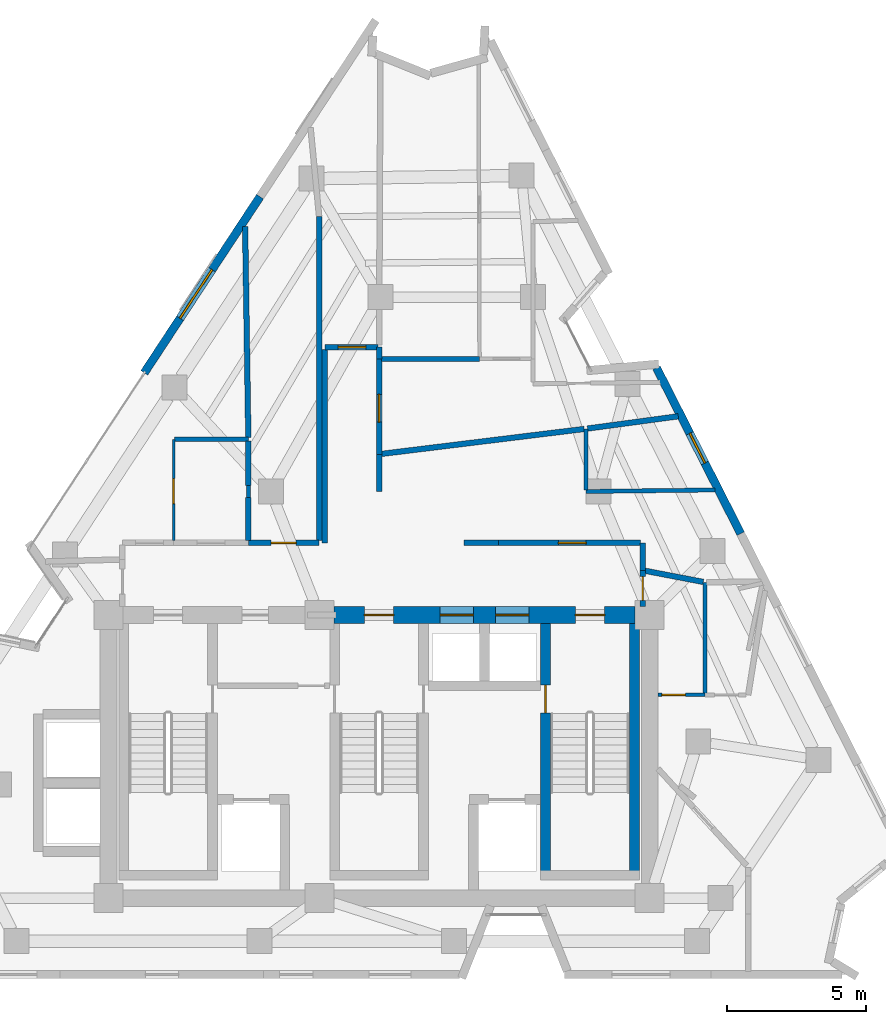
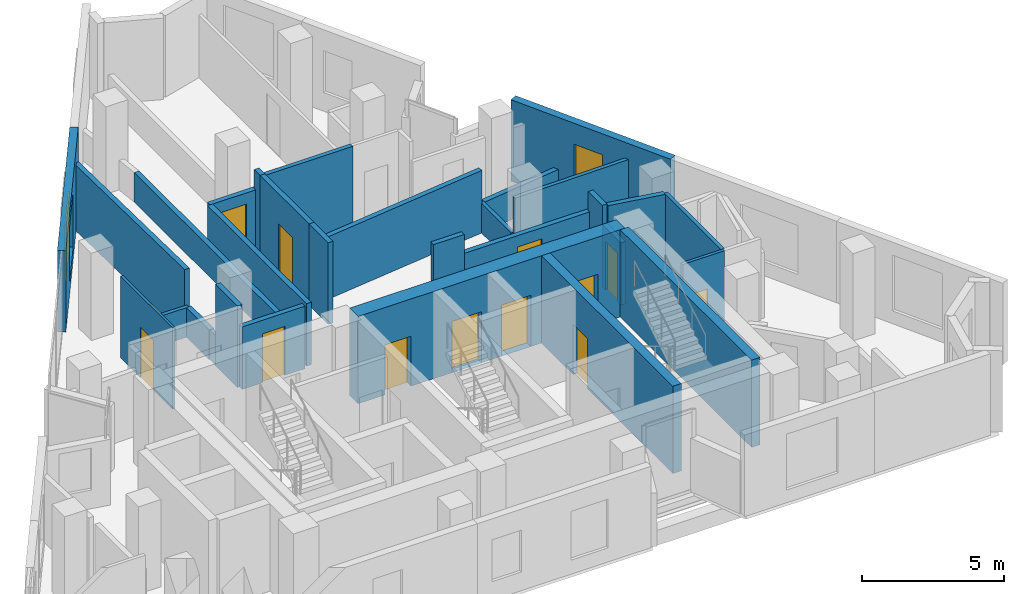
# One storey, part 6 of 9: 30 walls, 12 doors, 2 windows, 14 openings.
"""IFC4 building model written with IfcOpenShell, lengths in metres."""

from ifc_helpers import new_model, si_unit, direction, frame, frame_2d, origin, place, context, subcontext, project, spatial, rectangle, extrude, material, layer, layer_set, type_object, element, fill, save


model = new_model("IFC4")

# Units and contexts
model_context = context("Model", 3, precision=1e-05, world=origin(), true_north=direction((0.0, 1.0)))
body_context = subcontext(model_context, "Body", "Model", "MODEL_VIEW")
ifc_project = project(units=[si_unit("LENGTHUNIT", "METRE"), si_unit("AREAUNIT", "SQUARE_METRE"), si_unit("VOLUMEUNIT", "CUBIC_METRE"), si_unit("PLANEANGLEUNIT", "RADIAN"), si_unit("MASSUNIT", "GRAM", prefix="KILO")], contexts=[model_context])

# Site, building, storey
site_placement = place(None, origin())
site = spatial("IfcSite", under=ifc_project, at=site_placement, CompositionType="ELEMENT")
building_placement = place(site_placement, origin())
building = spatial("IfcBuilding", under=site, at=building_placement, Name="Almagre Mirador Tower", CompositionType="ELEMENT")
storey_placement = place(building_placement, frame((0.0, 0.0, 248.25)))
storey = spatial("IfcBuildingStorey", under=building, at=storey_placement, Name="L64", CompositionType="ELEMENT", Elevation=248.25)

# Wall, opening, window
ifc_material_1 = material(Name="Precast concrete C50/60", Category="concrete")
ifc_layer_1 = layer(ifc_material_1, 0.300048828125)
ifc_layer_set_1 = layer_set([ifc_layer_1], Name="Precast concrete C50/60")
wall_type_1 = type_object("IfcWallType", Name="WAL-EXT-300", PredefinedType="SOLIDWALL", material=ifc_layer_set_1)
wall_1_placement = place(storey_placement, frame((28.83837890625, 23.474609375, 0.0), z_axis=(0.0, 0.0, 1.0), x_axis=(0.549043857383, 0.835793540697, 0.0)))
wall_1 = element("IfcWall", 1, at=wall_1_placement, inside=storey, type_object=wall_type_1, Name="L64 expressed almagre precast frame wall 03", PredefinedType="SOLIDWALL", context=body_context, shape_type="SweptSolid", body=[
    extrude(rectangle(XDim=7.59716796875, YDim=0.300048828125, at=frame_2d((3.798583984375, 0.0))), origin(), (0.0, 0.0, 1.0), 3.5),
])
opening_1_placement = place(wall_1_placement, frame((2.35009765625, 0.0, 0.550048828125)))
opening_1 = element("IfcOpeningElement", 2, at=opening_1_placement, cuts=wall_1, Name="Opening WN-05", PredefinedType="OPENING", context=body_context, shape_type="SweptSolid", body=[
    extrude(rectangle(XDim=2.10009765625, YDim=2.39990234375, at=frame_2d((1.050048828125, 1.199951171875))), frame((0.0, 0.159902, 0.0), z_axis=(0.0, -1.0, 0.0), x_axis=(1.0, 0.0, 0.0)), (0.0, 0.0, 1.0), 0.320049),
])
ifc_material_2 = material(Name="Dark solar-control laminated hurricane glass", Category="glass")
window_type_1 = type_object("IfcWindowType", Name="WIN-2100X2400", PartitioningType="DOUBLE_PANEL_VERTICAL", PredefinedType="WINDOW", material=ifc_material_2)
window_1_placement = place(opening_1_placement, origin())
window_1 = element("IfcWindow", 3, at=window_1_placement, inside=storey, type_object=window_type_1, Name="L64 recessed hurricane window L64-UG-BT", OverallHeight=2.39990234375, OverallWidth=2.10009765625, PartitioningType="SINGLE_PANEL", PredefinedType="WINDOW", context=body_context, shape_type="SweptSolid", body=[
    extrude(rectangle(XDim=2.10009765625, YDim=2.39990234375, at=frame_2d((1.050048828125, 1.199951171875))), frame((0.0, 0.030029296875, 0.0), z_axis=(0.0, -1.0, 0.0), x_axis=(1.0, 0.0, 0.0)), (0.0, 0.0, 1.0), 0.06005859375),
])
fill(opening_1, window_1)

wall_2_placement = place(storey_placement, frame((47.29736328125, 23.65625, 0.0), z_axis=(0.0, 0.0, 1.0), x_axis=(0.452876034441, -0.891573495248, 0.0)))
wall_2 = element("IfcWall", 4, at=wall_2_placement, inside=storey, type_object=wall_type_1, Name="L64 expressed almagre precast frame wall 13", PredefinedType="SOLIDWALL", context=body_context, shape_type="SweptSolid", body=[
    extrude(rectangle(XDim=6.6982421875, YDim=0.300048828125, at=frame_2d((3.34912109375, 0.0))), origin(), (0.0, 0.0, 1.0), 3.5),
])
opening_2_placement = place(wall_2_placement, frame((2.64501953125, 0.0, 0.800048828125)))
opening_2 = element("IfcOpeningElement", 5, at=opening_2_placement, cuts=wall_2, Name="Opening WN-04", PredefinedType="OPENING", context=body_context, shape_type="SweptSolid", body=[
    extrude(rectangle(XDim=1.199951171875, YDim=1.800048828125, at=frame_2d((0.60009765625, 0.89990234375))), frame((0.0, 0.159902, 0.0), z_axis=(0.0, -1.0, 0.0), x_axis=(1.0, 0.0, 0.0)), (0.0, 0.0, 1.0), 0.320049),
])
ifc_material_3 = material(Name="Dark solar-control laminated hurricane glass", Category="glass")
window_type_2 = type_object("IfcWindowType", Name="WIN-1200X1800", PartitioningType="SINGLE_PANEL", PredefinedType="WINDOW", material=ifc_material_3)
window_2_placement = place(opening_2_placement, origin())
window_2 = element("IfcWindow", 6, at=window_2_placement, inside=storey, type_object=window_type_2, Name="L64 recessed hurricane window L64-UF-BT", OverallHeight=1.800048828125, OverallWidth=1.199951171875, PartitioningType="SINGLE_PANEL", PredefinedType="WINDOW", context=body_context, shape_type="SweptSolid", body=[
    extrude(rectangle(XDim=1.199951171875, YDim=1.800048828125, at=frame_2d((0.60009765625, 0.89990234375))), frame((0.0, 0.030029296875, 0.0), z_axis=(0.0, -1.0, 0.0), x_axis=(1.0, 0.0, 0.0)), (0.0, 0.0, 1.0), 0.06005859375),
])
fill(opening_2, window_2)

# Wall, opening, door
ifc_material_4 = material(Name="Gypsum acoustic stud partition", Category="other")
ifc_layer_2 = layer(ifc_material_4, 0.10009765625)
ifc_layer_set_2 = layer_set([ifc_layer_2], Name="Gypsum acoustic stud partition")
wall_type_2 = type_object("IfcWallType", Name="WAL-PRT-100-CLS", PredefinedType="PARTITIONING", material=ifc_layer_set_2)
wall_3_placement = place(storey_placement, frame((29.89990234375, 17.43505859375, 0.0), z_axis=(0.0, 0.0, 1.0), x_axis=(0.0, 1.0, 0.0)))
wall_3 = element("IfcWall", 7, at=wall_3_placement, inside=storey, type_object=wall_type_2, Name="L64 interior partition 044", PredefinedType="PARTITIONING", context=body_context, shape_type="SweptSolid", body=[
    extrude(rectangle(XDim=3.64501953125, YDim=0.10009765625, at=frame_2d((1.822509765625, 0.0))), origin(), (0.0, 0.0, 1.0), 3.5),
])
opening_3_placement = place(wall_3_placement, frame((1.330078125, 0.0, 0.0)))
opening_3 = element("IfcOpeningElement", 8, at=opening_3_placement, cuts=wall_3, Name="Opening UD-02", PredefinedType="OPENING", context=body_context, shape_type="SweptSolid", body=[
    extrude(rectangle(XDim=0.89990234375, YDim=2.14990234375, at=frame_2d((0.449951171875, 1.074951171875))), frame((0.0, 0.060049, 0.0), z_axis=(0.0, -1.0, 0.0), x_axis=(1.0, 0.0, 0.0)), (0.0, 0.0, 1.0), 0.120098),
])
ifc_material_5 = material(Name="Solid American walnut timber", Category="wood")
door_type_1 = type_object("IfcDoorType", Name="DOR-UNR-900X2150", OperationType="NOTDEFINED", PredefinedType="DOOR", material=ifc_material_5)
door_1_placement = place(opening_3_placement, origin())
door_1 = element("IfcDoor", 9, at=door_1_placement, inside=storey, type_object=door_type_1, Name="DR-1974 L64 interior door L64-UG-LV to L64-UG-B1", OperationType="SINGLE_SWING_LEFT", OverallHeight=2.14990234375, OverallWidth=0.89990234375, PredefinedType="DOOR", context=body_context, shape_type="SweptSolid", body=[
    extrude(rectangle(XDim=0.89990234375, YDim=2.14990234375, at=frame_2d((0.449951171875, 1.074951171875))), frame((0.0, 0.02490234375, 0.0), z_axis=(0.0, -1.0, 0.0), x_axis=(1.0, 0.0, 0.0)), (0.0, 0.0, 1.0), 0.050048828125),
])
fill(opening_3, door_1)

ifc_material_6 = material(Name="Gypsum acoustic stud partition", Category="other")
ifc_layer_3 = layer(ifc_material_6, 0.125)
ifc_layer_set_3 = layer_set([ifc_layer_3], Name="Gypsum acoustic stud partition")
wall_type_3 = type_object("IfcWallType", Name="WAL-PRT-125-UTL", PredefinedType="PARTITIONING", material=ifc_layer_set_3)
wall_4_placement = place(storey_placement, frame((49.0400390625, 11.8701171875, 0.0), z_axis=(0.0, 0.0, 1.0), x_axis=(-1.0, 0.0, 0.0)))
wall_4 = element("IfcWall", 10, at=wall_4_placement, inside=storey, type_object=wall_type_3, Name="L64 interior partition 034", PredefinedType="PARTITIONING", context=body_context, shape_type="SweptSolid", body=[
    extrude(rectangle(XDim=1.68994140625, YDim=0.125, at=frame_2d((0.844970703125, 0.0))), origin(), (0.0, 0.0, 1.0), 3.5),
])
opening_4_placement = place(wall_4_placement, frame((0.699951171875, 0.0, 0.0)))
opening_4 = element("IfcOpeningElement", 11, at=opening_4_placement, cuts=wall_4, Name="Opening UD-04", PredefinedType="OPENING", context=body_context, shape_type="SweptSolid", body=[
    extrude(rectangle(XDim=0.85009765625, YDim=2.10009765625, at=frame_2d((0.425048828125, 1.050048828125))), frame((0.0, 0.0725, 0.0), z_axis=(0.0, -1.0, 0.0), x_axis=(1.0, 0.0, 0.0)), (0.0, 0.0, 1.0), 0.145),
])
ifc_material_7 = material(Name="Moisture-resistant oak timber", Category="wood")
door_type_2 = type_object("IfcDoorType", Name="DOR-UNR-850X2100", OperationType="NOTDEFINED", PredefinedType="DOOR", material=ifc_material_7)
door_2_placement = place(opening_4_placement, origin())
door_2 = element("IfcDoor", 12, at=door_2_placement, inside=storey, type_object=door_type_2, Name="DR-1970 L64 interior door L64-UE-ST to L64-UE-KT", OperationType="SINGLE_SWING_LEFT", OverallHeight=2.10009765625, OverallWidth=0.85009765625, PredefinedType="DOOR", context=body_context, shape_type="SweptSolid", body=[
    extrude(rectangle(XDim=0.85009765625, YDim=2.10009765625, at=frame_2d((0.425048828125, 1.050048828125))), frame((0.0, 0.02490234375, 0.0), z_axis=(0.0, -1.0, 0.0), x_axis=(1.0, 0.0, 0.0)), (0.0, 0.0, 1.0), 0.050048828125),
])
fill(opening_4, door_2)

# Walls
ifc_material_8 = material(Name="Gypsum acoustic stud partition", Category="other")
ifc_layer_4 = layer(ifc_material_8, 0.14990234375)
ifc_layer_set_4 = layer_set([ifc_layer_4], Name="Gypsum acoustic stud partition")
wall_type_4 = type_object("IfcWallType", Name="WAL-PRT-150-STD", PredefinedType="PARTITIONING", material=ifc_layer_set_4)
wall_5_placement = place(storey_placement, frame((49.0400390625, 15.929931640625, 0.0), z_axis=(0.0, 0.0, 1.0), x_axis=(0.0, -1.0, 0.0)))
element("IfcWall", 13, at=wall_5_placement, inside=storey, type_object=wall_type_4, Name="L64 interior partition 035", PredefinedType="PARTITIONING", context=body_context, shape_type="SweptSolid", body=[
    extrude(rectangle(XDim=4.0, YDim=0.14990234375, at=frame_2d((2.0, 0.0))), origin(), (0.0, 0.0, 1.0), 3.5),
])
wall_6_placement = place(storey_placement, frame((49.406005859375, 19.2548828125, 0.0), z_axis=(0.0, 0.0, 1.0), x_axis=(-0.999930410651, -0.011797196917, 0.0)))
element("IfcWall", 14, at=wall_6_placement, inside=storey, type_object=wall_type_4, Name="L64 interior partition 039", PredefinedType="PARTITIONING", context=body_context, shape_type="SweptSolid", body=[
    extrude(rectangle(XDim=4.65625, YDim=0.14990234375, at=frame_2d((2.328125, 0.0))), origin(), (0.0, 0.0, 1.0), 2.820068359375),
])
wall_7_placement = place(storey_placement, frame((44.75, 19.260009765625, 0.0), z_axis=(0.0, 0.0, 1.0), x_axis=(0.0, 1.0, 0.0)))
element("IfcWall", 15, at=wall_7_placement, inside=storey, type_object=wall_type_4, Name="L64 interior partition 040", PredefinedType="PARTITIONING", context=body_context, shape_type="SweptSolid", body=[
    extrude(rectangle(XDim=2.199951171875, YDim=0.14990234375, at=frame_2d((1.10009765625, 0.0))), origin(), (0.0, 0.0, 1.0), 1.27001953125),
])
wall_8_placement = place(storey_placement, frame((29.93505859375, 21.080078125, 0.0), z_axis=(0.0, 0.0, 1.0), x_axis=(1.0, 0.0, 0.0)))
element("IfcWall", 16, at=wall_8_placement, inside=storey, type_object=wall_type_4, Name="L64 interior partition 046", PredefinedType="PARTITIONING", context=body_context, shape_type="SweptSolid", body=[
    extrude(rectangle(XDim=2.655029296875, YDim=0.14990234375, at=frame_2d((1.32763671875, 0.0))), origin(), (0.0, 0.0, 1.0), 1.27001953125),
])
wall_9_placement = place(storey_placement, frame((32.590087890625, 18.97998046875, 0.0), z_axis=(0.0, 0.0, 1.0), x_axis=(0.0, 1.0, 0.0)))
element("IfcWall", 17, at=wall_9_placement, inside=storey, type_object=wall_type_4, Name="L64 interior partition 071", PredefinedType="PARTITIONING", context=body_context, shape_type="SweptSolid", body=[
    extrude(rectangle(XDim=0.43994140625, YDim=0.14990234375, at=frame_2d((0.219970703125, 0.0))), origin(), (0.0, 0.0, 1.0), 1.27001953125),
])
ifc_material_9 = material(Name="Gypsum acoustic stud partition", Category="other")
ifc_layer_5 = layer(ifc_material_9, 0.175048828125)
ifc_layer_set_5 = layer_set([ifc_layer_5], Name="Gypsum acoustic stud partition")
wall_type_5 = type_object("IfcWallType", Name="WAL-PRT-175-AC", PredefinedType="PARTITIONING", material=ifc_layer_set_5)
wall_10_placement = place(storey_placement, frame((40.919921875, 23.97998046875, 0.0), z_axis=(0.0, 0.0, 1.0), x_axis=(-1.0, 0.0, 0.0)))
element("IfcWall", 18, at=wall_10_placement, inside=storey, type_object=wall_type_5, Name="L64 interior partition 060", PredefinedType="PARTITIONING", context=body_context, shape_type="SweptSolid", body=[
    extrude(rectangle(XDim=3.534912109375, YDim=0.175048828125, at=frame_2d((1.767578125, 0.0))), origin(), (0.0, 0.0, 1.0), 3.5),
])

# Wall, opening, door
ifc_material_10 = material(Name="Gypsum acoustic stud partition", Category="other")
ifc_layer_6 = layer(ifc_material_10, 0.199951171875)
ifc_layer_set_6 = layer_set([ifc_layer_6], Name="Gypsum acoustic stud partition")
wall_type_6 = type_object("IfcWallType", Name="WAL-PRT-200-EI60", PredefinedType="PARTITIONING", material=ifc_layer_set_6)
wall_11_placement = place(storey_placement, frame((46.800048828125, 15.050048828125, 0.0), z_axis=(0.0, 0.0, 1.0), x_axis=(0.0, 1.0, 0.0)))
wall_11 = element("IfcWall", 19, at=wall_11_placement, inside=storey, type_object=wall_type_6, Name="L64 interior partition 002", PredefinedType="PARTITIONING", context=body_context, shape_type="SweptSolid", body=[
    extrude(rectangle(XDim=1.31005859375, YDim=0.199951171875, at=frame_2d((0.655029296875, 0.0))), origin(), (0.0, 0.0, 1.0), 2.68505859375),
])
opening_5_placement = place(wall_11_placement, frame((0.22998046875, 0.0, 0.0)))
opening_5 = element("IfcOpeningElement", 20, at=opening_5_placement, cuts=wall_11, Name="Opening ID-06", PredefinedType="OPENING", context=body_context, shape_type="SweptSolid", body=[
    extrude(rectangle(XDim=0.85009765625, YDim=2.10009765625, at=frame_2d((0.425048828125, 1.050048828125))), frame((0.0, 0.110098, 0.0), z_axis=(0.0, -1.0, 0.0), x_axis=(1.0, 0.0, 0.0)), (0.0, 0.0, 1.0), 0.219951),
])
ifc_material_11 = material(Name="Fire-rated hollow steel", Category="steel")
door_type_3 = type_object("IfcDoorType", Name="DOR-FD60-850X2100", OperationType="NOTDEFINED", PredefinedType="DOOR", material=ifc_material_11)
door_3_placement = place(opening_5_placement, origin())
door_3 = element("IfcDoor", 21, at=door_3_placement, inside=storey, type_object=door_type_3, Name="DR-1969 L64 interior door L64-RCOR to L64-UE-KT", OperationType="SINGLE_SWING_LEFT", OverallHeight=2.10009765625, OverallWidth=0.85009765625, PredefinedType="DOOR", context=body_context, shape_type="SweptSolid", body=[
    extrude(rectangle(XDim=0.85009765625, YDim=2.10009765625, at=frame_2d((0.425048828125, 1.050048828125))), frame((0.0, 0.02490234375, 0.0), z_axis=(0.0, -1.0, 0.0), x_axis=(1.0, 0.0, 0.0)), (0.0, 0.0, 1.0), 0.050048828125),
])
fill(opening_5, door_3)

# Wall
wall_12_placement = place(storey_placement, frame((46.800048828125, 16.360107421875, 0.0), z_axis=(0.0, 0.0, 1.0), x_axis=(0.0, 1.0, 0.0)))
element("IfcWall", 22, at=wall_12_placement, inside=storey, type_object=wall_type_6, Name="L64 interior partition 004", PredefinedType="PARTITIONING", context=body_context, shape_type="SweptSolid", body=[
    extrude(rectangle(XDim=0.989990234375, YDim=0.199951171875, at=frame_2d((0.4951171875, 0.0))), origin(), (0.0, 0.0, 1.0), 3.5),
])

# Wall, opening, door
wall_13_placement = place(storey_placement, frame((46.715087890625, 17.35009765625, 0.0), z_axis=(0.0, 0.0, 1.0), x_axis=(-1.0, 0.0, 0.0)))
wall_13 = element("IfcWall", 23, at=wall_13_placement, inside=storey, type_object=wall_type_6, Name="L64 interior partition 005", PredefinedType="PARTITIONING", context=body_context, shape_type="SweptSolid", body=[
    extrude(rectangle(XDim=5.10498046875, YDim=0.199951171875, at=frame_2d((2.552490234375, 0.0))), origin(), (0.0, 0.0, 1.0), 2.68505859375),
])
opening_6_placement = place(wall_13_placement, frame((1.95068359375, 0.0, 0.0)))
opening_6 = element("IfcOpeningElement", 24, at=opening_6_placement, cuts=wall_13, Name="Opening ID-01", PredefinedType="OPENING", context=body_context, shape_type="SweptSolid", body=[
    extrude(rectangle(XDim=1.0, YDim=2.199951171875, at=frame_2d((0.5, 1.10009765625))), frame((0.0, 0.110098, 0.0), z_axis=(0.0, -1.0, 0.0), x_axis=(1.0, 0.0, 0.0)), (0.0, 0.0, 1.0), 0.219951),
])
ifc_material_12 = material(Name="Fire-rated walnut timber", Category="wood")
door_type_4 = type_object("IfcDoorType", Name="DOR-FD60-1000X2200", OperationType="NOTDEFINED", PredefinedType="DOOR", material=ifc_material_12)
door_4_placement = place(opening_6_placement, origin())
door_4 = element("IfcDoor", 25, at=door_4_placement, inside=storey, type_object=door_type_4, Name="DR-1972 L64 interior door L64-RCOR to L64-UF-ST", OperationType="SINGLE_SWING_LEFT", OverallHeight=2.199951171875, OverallWidth=1.0, PredefinedType="DOOR", context=body_context, shape_type="SweptSolid", body=[
    extrude(rectangle(XDim=1.0, YDim=2.199951171875, at=frame_2d((0.5, 1.10009765625))), frame((0.0, 0.02490234375, 0.0), z_axis=(0.0, -1.0, 0.0), x_axis=(1.0, 0.0, 0.0)), (0.0, 0.0, 1.0), 0.050048828125),
])
fill(opening_6, door_4)

# Wall
wall_14_placement = place(storey_placement, frame((37.300048828125, 19.199951171875, 0.0), z_axis=(0.0, 0.0, 1.0), x_axis=(0.0, 1.0, 0.0)))
element("IfcWall", 26, at=wall_14_placement, inside=storey, type_object=wall_type_6, Name="L64 interior partition 006", PredefinedType="PARTITIONING", context=body_context, shape_type="SweptSolid", body=[
    extrude(rectangle(XDim=1.340087890625, YDim=0.199951171875, at=frame_2d((0.669921875, 0.0))), origin(), (0.0, 0.0, 1.0), 3.5),
])

# Wall, opening, door
wall_15_placement = place(storey_placement, frame((35.139892578125, 17.35009765625, 0.0), z_axis=(0.0, 0.0, 1.0), x_axis=(-1.0, 0.0, 0.0)))
wall_15 = element("IfcWall", 27, at=wall_15_placement, inside=storey, type_object=wall_type_6, Name="L64 interior partition 010", PredefinedType="PARTITIONING", context=body_context, shape_type="SweptSolid", body=[
    extrude(rectangle(XDim=2.5498046875, YDim=0.199951171875, at=frame_2d((1.27490234375, 0.0))), origin(), (0.0, 0.0, 1.0), 2.68505859375),
])
opening_7_placement = place(wall_15_placement, frame((0.824951171875, 0.0, 0.0)))
opening_7 = element("IfcOpeningElement", 28, at=opening_7_placement, cuts=wall_15, Name="Opening ID-03", PredefinedType="OPENING", context=body_context, shape_type="SweptSolid", body=[
    extrude(rectangle(XDim=0.89990234375, YDim=2.10009765625, at=frame_2d((0.449951171875, 1.050048828125))), frame((0.0, 0.110098, 0.0), z_axis=(0.0, -1.0, 0.0), x_axis=(1.0, 0.0, 0.0)), (0.0, 0.0, 1.0), 0.219951),
])
ifc_material_13 = material(Name="Fire-rated hollow steel", Category="steel")
door_type_5 = type_object("IfcDoorType", Name="DOR-FD60-900X2100", OperationType="NOTDEFINED", PredefinedType="DOOR", material=ifc_material_13)
door_5_placement = place(opening_7_placement, origin())
door_5 = element("IfcDoor", 29, at=door_5_placement, inside=storey, type_object=door_type_5, Name="DR-1968 L64 interior door L64-RCOR to L64-RST-H", OperationType="SINGLE_SWING_RIGHT", OverallHeight=2.10009765625, OverallWidth=0.89990234375, PredefinedType="DOOR", context=body_context, shape_type="SweptSolid", body=[
    extrude(rectangle(XDim=0.89990234375, YDim=2.10009765625, at=frame_2d((0.449951171875, 1.050048828125))), frame((0.0, 0.02490234375, 0.0), z_axis=(0.0, -1.0, 0.0), x_axis=(1.0, 0.0, 0.0)), (0.0, 0.0, 1.0), 0.050048828125),
])
fill(opening_7, door_5)

wall_16_placement = place(storey_placement, frame((37.2548828125, 24.39990234375, 0.0), z_axis=(0.0, 0.0, 1.0), x_axis=(-1.0, 0.0, 0.0)))
wall_16 = element("IfcWall", 30, at=wall_16_placement, inside=storey, type_object=wall_type_6, Name="L64 interior partition 011", PredefinedType="PARTITIONING", context=body_context, shape_type="SweptSolid", body=[
    extrude(rectangle(XDim=1.90478515625, YDim=0.199951171875, at=frame_2d((0.952392578125, 0.0))), origin(), (0.0, 0.0, 1.0), 2.68505859375),
])
opening_8_placement = place(wall_16_placement, frame((0.429931640625, 0.0, 0.0)))
opening_8 = element("IfcOpeningElement", 31, at=opening_8_placement, cuts=wall_16, Name="Opening ID-01", PredefinedType="OPENING", context=body_context, shape_type="SweptSolid", body=[
    extrude(rectangle(XDim=1.0, YDim=2.199951171875, at=frame_2d((0.5, 1.10009765625))), frame((0.0, 0.110098, 0.0), z_axis=(0.0, -1.0, 0.0), x_axis=(1.0, 0.0, 0.0)), (0.0, 0.0, 1.0), 0.219951),
])
door_6_placement = place(opening_8_placement, origin())
door_6 = element("IfcDoor", 32, at=door_6_placement, inside=storey, type_object=door_type_4, Name="DR-1975 L64 interior door L64-RCOR to L64-UJ-ST", OperationType="SINGLE_SWING_RIGHT", OverallHeight=2.199951171875, OverallWidth=1.0, PredefinedType="DOOR", context=body_context, shape_type="SweptSolid", body=[
    extrude(rectangle(XDim=1.0, YDim=2.199951171875, at=frame_2d((0.5, 1.10009765625))), frame((0.0, 0.02490234375, 0.0), z_axis=(0.0, -1.0, 0.0), x_axis=(1.0, 0.0, 0.0)), (0.0, 0.0, 1.0), 0.050048828125),
])
fill(opening_8, door_6)

# Wall
wall_17_placement = place(storey_placement, frame((35.35009765625, 24.31494140625, 0.0), z_axis=(0.0, 0.0, 1.0), x_axis=(0.0, -1.0, 0.0)))
element("IfcWall", 33, at=wall_17_placement, inside=storey, type_object=wall_type_6, Name="L64 interior partition 012", PredefinedType="PARTITIONING", context=body_context, shape_type="SweptSolid", body=[
    extrude(rectangle(XDim=6.96484375, YDim=0.199951171875, at=frame_2d((3.482421875, 0.0))), origin(), (0.0, 0.0, 1.0), 2.68505859375),
])

# Wall, opening, door
wall_18_placement = place(storey_placement, frame((37.300048828125, 23.97998046875, 0.0), z_axis=(0.0, 0.0, 1.0), x_axis=(0.0, -1.0, 0.0)))
wall_18 = element("IfcWall", 34, at=wall_18_placement, inside=storey, type_object=wall_type_6, Name="L64 interior partition 013", PredefinedType="PARTITIONING", context=body_context, shape_type="SweptSolid", body=[
    extrude(rectangle(XDim=3.43994140625, YDim=0.199951171875, at=frame_2d((1.719970703125, 0.0))), origin(), (0.0, 0.0, 1.0), 3.5),
])
opening_9_placement = place(wall_18_placement, frame((1.27685546875, 0.0, 0.0)))
opening_9 = element("IfcOpeningElement", 35, at=opening_9_placement, cuts=wall_18, Name="Opening ID-01", PredefinedType="OPENING", context=body_context, shape_type="SweptSolid", body=[
    extrude(rectangle(XDim=1.0, YDim=2.199951171875, at=frame_2d((0.5, 1.10009765625))), frame((0.0, 0.110098, 0.0), z_axis=(0.0, -1.0, 0.0), x_axis=(1.0, 0.0, 0.0)), (0.0, 0.0, 1.0), 0.219951),
])
door_7_placement = place(opening_9_placement, origin())
door_7 = element("IfcDoor", 36, at=door_7_placement, inside=storey, type_object=door_type_4, Name="DR-1976 L64 interior door L64-RCOR to L64-UK-ST", OperationType="SINGLE_SWING_RIGHT", OverallHeight=2.199951171875, OverallWidth=1.0, PredefinedType="DOOR", context=body_context, shape_type="SweptSolid", body=[
    extrude(rectangle(XDim=1.0, YDim=2.199951171875, at=frame_2d((0.5, 1.10009765625))), frame((0.0, 0.02490234375, 0.0), z_axis=(0.0, -1.0, 0.0), x_axis=(1.0, 0.0, 0.0)), (0.0, 0.0, 1.0), 0.050048828125),
])
fill(opening_9, door_7)

# Walls
wall_19_placement = place(storey_placement, frame((37.300048828125, 23.97998046875, 0.0), z_axis=(0.0, 0.0, 1.0), x_axis=(0.0, 1.0, 0.0)))
element("IfcWall", 37, at=wall_19_placement, inside=storey, type_object=wall_type_6, Name="L64 interior partition 014", PredefinedType="PARTITIONING", context=body_context, shape_type="SweptSolid", body=[
    extrude(rectangle(XDim=0.419921875, YDim=0.199951171875, at=frame_2d((0.2099609375, 0.0))), origin(), (0.0, 0.0, 1.0), 3.5),
])
wall_20_placement = place(storey_placement, frame((48.981201171875, 15.94140625, 0.0), z_axis=(0.0, 0.0, 1.0), x_axis=(-0.982076492774, 0.188482790571, 0.0)))
element("IfcWall", 38, at=wall_20_placement, inside=storey, type_object=wall_type_6, Name="L64 interior partition 037", PredefinedType="PARTITIONING", context=body_context, shape_type="SweptSolid", body=[
    extrude(rectangle(XDim=2.135986328125, YDim=0.199951171875, at=frame_2d((1.06787109375, 0.0))), origin(), (0.0, 0.0, 1.0), 3.5),
])
wall_21_placement = place(storey_placement, frame((44.6904296875, 21.45263671875, 0.0), z_axis=(0.0, 0.0, 1.0), x_axis=(-0.992524860777, -0.12204261854, 0.0)))
element("IfcWall", 39, at=wall_21_placement, inside=storey, type_object=wall_type_6, Name="L64 interior partition 041", PredefinedType="PARTITIONING", context=body_context, shape_type="SweptSolid", body=[
    extrude(rectangle(XDim=7.361572265625, YDim=0.199951171875, at=frame_2d((3.6806640625, 0.0))), origin(), (0.0, 0.0, 1.0), 2.68505859375),
])
wall_22_placement = place(storey_placement, frame((48.080078125, 21.909912109375, 0.0), z_axis=(0.0, 0.0, 1.0), x_axis=(-0.990985264869, -0.133970910322, 0.0)))
element("IfcWall", 40, at=wall_22_placement, inside=storey, type_object=wall_type_6, Name="L64 interior partition 042", PredefinedType="PARTITIONING", context=body_context, shape_type="SweptSolid", body=[
    extrude(rectangle(XDim=3.30029296875, YDim=0.199951171875, at=frame_2d((1.650146484375, 0.0))), origin(), (0.0, 0.0, 1.0), 1.27001953125),
])
wall_23_placement = place(storey_placement, frame((32.58935546875, 21.139892578125, 0.0), z_axis=(0.0, 0.0, 1.0), x_axis=(-0.015152694096, 0.99988519134, 0.0)))
element("IfcWall", 41, at=wall_23_placement, inside=storey, type_object=wall_type_6, Name="L64 interior partition 047", PredefinedType="PARTITIONING", context=body_context, shape_type="SweptSolid", body=[
    extrude(rectangle(XDim=7.60498046875, YDim=0.199951171875, at=frame_2d((3.802490234375, 0.0))), origin(), (0.0, 0.0, 1.0), 2.820068359375),
])
wall_24_placement = place(storey_placement, frame((32.590087890625, 17.43505859375, 0.0), z_axis=(0.0, 0.0, 1.0), x_axis=(0.0, 1.0, 0.0)))
element("IfcWall", 42, at=wall_24_placement, inside=storey, type_object=wall_type_6, Name="L64 interior partition 048", PredefinedType="PARTITIONING", context=body_context, shape_type="SweptSolid", body=[
    extrude(rectangle(XDim=1.544921875, YDim=0.199951171875, at=frame_2d((0.7724609375, 0.0))), origin(), (0.0, 0.0, 1.0), 3.5),
])
wall_25_placement = place(storey_placement, frame((32.590087890625, 19.419921875, 0.0), z_axis=(0.0, 0.0, 1.0), x_axis=(0.0, 1.0, 0.0)))
element("IfcWall", 43, at=wall_25_placement, inside=storey, type_object=wall_type_6, Name="L64 interior partition 049", PredefinedType="PARTITIONING", context=body_context, shape_type="SweptSolid", body=[
    extrude(rectangle(XDim=1.60009765625, YDim=0.199951171875, at=frame_2d((0.800048828125, 0.0))), origin(), (0.0, 0.0, 1.0), 1.27001953125),
])
wall_26_placement = place(storey_placement, frame((35.139892578125, 17.43505859375, 0.0), z_axis=(0.0, 0.0, 1.0), x_axis=(0.0, 1.0, 0.0)))
element("IfcWall", 44, at=wall_26_placement, inside=storey, type_object=wall_type_6, Name="L64 interior partition 050", PredefinedType="PARTITIONING", context=body_context, shape_type="SweptSolid", body=[
    extrude(rectangle(XDim=11.675048828125, YDim=0.199951171875, at=frame_2d((5.83740234375, 0.0))), origin(), (0.0, 0.0, 1.0), 1.27001953125),
])
wall_27_placement = place(storey_placement, frame((41.610107421875, 17.35009765625, 0.0), z_axis=(0.0, 0.0, 1.0), x_axis=(-1.0, 0.0, 0.0)))
element("IfcWall", 45, at=wall_27_placement, inside=storey, type_object=wall_type_6, Name="L64 interior partition 064", PredefinedType="PARTITIONING", context=body_context, shape_type="SweptSolid", body=[
    extrude(rectangle(XDim=1.25, YDim=0.199951171875, at=frame_2d((0.625, 0.0))), origin(), (0.0, 0.0, 1.0), 3.5),
])

# Wall, opening, door
ifc_material_14 = material(Name="Concrete C60/75", Category="concrete")
ifc_layer_7 = layer(ifc_material_14, 0.35009765625)
ifc_layer_set_7 = layer_set([ifc_layer_7], Name="Concrete C60/75")
wall_type_7 = type_object("IfcWallType", Name="WAL-SHF-350", PredefinedType="SOLIDWALL", material=ifc_layer_set_7)
wall_28_placement = place(storey_placement, frame((43.300048828125, 5.199951171875, 0.0), z_axis=(0.0, 0.0, 1.0), x_axis=(0.0, 1.0, 0.0)))
wall_28 = element("IfcWall", 46, at=wall_28_placement, inside=storey, type_object=wall_type_7, Name="L64 shaft wall ST3-W", PredefinedType="SOLIDWALL", context=body_context, shape_type="SweptSolid", body=[
    extrude(rectangle(XDim=9.25, YDim=0.35009765625, at=frame_2d((4.625, 0.0))), origin(), (0.0, 0.0, 1.0), 3.75),
])
opening_10_placement = place(wall_28_placement, frame((6.02001953125, 0.0, 0.0)))
opening_10 = element("IfcOpeningElement", 47, at=opening_10_placement, cuts=wall_28, Name="Opening FD-01", PredefinedType="OPENING", context=body_context, shape_type="SweptSolid", body=[
    extrude(rectangle(XDim=1.0, YDim=2.14990234375, at=frame_2d((0.5, 1.074951171875))), frame((0.0, 0.185049, 0.0), z_axis=(0.0, -1.0, 0.0), x_axis=(1.0, 0.0, 0.0)), (0.0, 0.0, 1.0), 0.370098),
])
ifc_material_15 = material(Name="Fire-rated hollow steel", Category="steel")
door_type_6 = type_object("IfcDoorType", Name="DOR-FFL-1000X2150", OperationType="NOTDEFINED", PredefinedType="DOOR", material=ifc_material_15)
door_8_placement = place(opening_10_placement, origin())
door_8 = element("IfcDoor", 48, at=door_8_placement, inside=storey, type_object=door_type_6, Name="DR-1966 L64 FFL2-ST3 smokeproof door", OperationType="SINGLE_SWING_RIGHT", OverallHeight=2.14990234375, OverallWidth=1.0, PredefinedType="DOOR", context=body_context, shape_type="SweptSolid", body=[
    extrude(rectangle(XDim=1.0, YDim=2.14990234375, at=frame_2d((0.5, 1.074951171875))), frame((0.0, 0.02490234375, 0.0), z_axis=(0.0, -1.0, 0.0), x_axis=(1.0, 0.0, 0.0)), (0.0, 0.0, 1.0), 0.050048828125),
])
fill(opening_10, door_8)

# Wall
wall_29_placement = place(storey_placement, frame((46.5, 5.199951171875, 0.0), z_axis=(0.0, 0.0, 1.0), x_axis=(0.0, 1.0, 0.0)))
element("IfcWall", 49, at=wall_29_placement, inside=storey, type_object=wall_type_7, Name="L64 shaft wall ST3-E", PredefinedType="SOLIDWALL", context=body_context, shape_type="SweptSolid", body=[
    extrude(rectangle(XDim=9.25, YDim=0.35009765625, at=frame_2d((4.625, 0.0))), origin(), (0.0, 0.0, 1.0), 3.75),
])

# Wall, openings, doors
ifc_material_16 = material(Name="Concrete C60/75", Category="concrete")
ifc_layer_8 = layer(ifc_material_16, 0.60009765625)
ifc_layer_set_8 = layer_set([ifc_layer_8], Name="Concrete C60/75")
wall_type_8 = type_object("IfcWallType", Name="WAL-SHR-600", PredefinedType="SHEAR", material=ifc_layer_set_8)
wall_30_placement = place(storey_placement, frame((35.675048828125, 14.75, 0.0), z_axis=(0.0, 0.0, 1.0), x_axis=(1.0, 0.0, 0.0)))
wall_30 = element("IfcWall", 50, at=wall_30_placement, inside=storey, type_object=wall_type_8, Name="L64 core shear wall N2", PredefinedType="SHEAR", context=body_context, shape_type="SweptSolid", body=[
    extrude(rectangle(XDim=10.849853515625, YDim=0.60009765625, at=frame_2d((5.4248046875, 0.0))), origin(), (0.0, 0.0, 1.0), 3.75),
])
opening_11_placement = place(wall_30_placement, frame((1.10009765625, 0.0, 0.0)))
opening_11 = element("IfcOpeningElement", 51, at=opening_11_placement, cuts=wall_30, Name="Opening SD-01", PredefinedType="OPENING", context=body_context, shape_type="SweptSolid", body=[
    extrude(rectangle(XDim=1.050048828125, YDim=2.14990234375, at=frame_2d((0.52490234375, 1.074951171875))), frame((0.0, 0.310049, 0.0), z_axis=(0.0, -1.0, 0.0), x_axis=(1.0, 0.0, 0.0)), (0.0, 0.0, 1.0), 0.620098),
])
opening_12_placement = place(wall_30_placement, frame((8.699951171875, 0.0, 0.0)))
opening_12 = element("IfcOpeningElement", 52, at=opening_12_placement, cuts=wall_30, Name="Opening SD-01", PredefinedType="OPENING", context=body_context, shape_type="SweptSolid", body=[
    extrude(rectangle(XDim=1.050048828125, YDim=2.14990234375, at=frame_2d((0.52490234375, 1.074951171875))), frame((0.0, 0.310049, 0.0), z_axis=(0.0, -1.0, 0.0), x_axis=(1.0, 0.0, 0.0)), (0.0, 0.0, 1.0), 0.620098),
])
opening_13_placement = place(wall_30_placement, frame((3.824951171875, 0.0, 0.0)))
opening_13 = element("IfcOpeningElement", 53, at=opening_13_placement, cuts=wall_30, Name="Opening LD-02", PredefinedType="OPENING", context=body_context, shape_type="SweptSolid", body=[
    extrude(rectangle(XDim=1.199951171875, YDim=2.199951171875, at=frame_2d((0.60009765625, 1.10009765625))), frame((0.0, 0.310049, 0.0), z_axis=(0.0, -1.0, 0.0), x_axis=(1.0, 0.0, 0.0)), (0.0, 0.0, 1.0), 0.620098),
])
opening_14_placement = place(wall_30_placement, frame((5.824951171875, 0.0, 0.0)))
opening_14 = element("IfcOpeningElement", 54, at=opening_14_placement, cuts=wall_30, Name="Opening LD-02", PredefinedType="OPENING", context=body_context, shape_type="SweptSolid", body=[
    extrude(rectangle(XDim=1.199951171875, YDim=2.199951171875, at=frame_2d((0.60009765625, 1.10009765625))), frame((0.0, 0.310049, 0.0), z_axis=(0.0, -1.0, 0.0), x_axis=(1.0, 0.0, 0.0)), (0.0, 0.0, 1.0), 0.620098),
])
ifc_material_17 = material(Name="Hollow stainless steel", Category="steel")
door_type_7 = type_object("IfcDoorType", Name="DOR-LD-1200X2200", OperationType="DOUBLE_DOOR_SLIDING", PredefinedType="DOOR", material=ifc_material_17)
door_9_placement = place(opening_13_placement, origin())
door_9 = element("IfcDoor", 55, at=door_9_placement, inside=storey, type_object=door_type_7, Name="DR-1984 L64 PL-H1 lift landing door", OperationType="DOUBLE_DOOR_SLIDING", OverallHeight=2.199951171875, OverallWidth=1.199951171875, PredefinedType="DOOR", context=body_context, shape_type="SweptSolid", body=[
    extrude(rectangle(XDim=1.199951171875, YDim=2.199951171875, at=frame_2d((0.60009765625, 1.10009765625))), frame((0.0, 0.02490234375, 0.0), z_axis=(0.0, -1.0, 0.0), x_axis=(1.0, 0.0, 0.0)), (0.0, 0.0, 1.0), 0.050048828125),
])
fill(opening_13, door_9)
door_10_placement = place(opening_14_placement, origin())
door_10 = element("IfcDoor", 56, at=door_10_placement, inside=storey, type_object=door_type_7, Name="DR-1985 L64 PL-H2 lift landing door", OperationType="DOUBLE_DOOR_SLIDING", OverallHeight=2.199951171875, OverallWidth=1.199951171875, PredefinedType="DOOR", context=body_context, shape_type="SweptSolid", body=[
    extrude(rectangle(XDim=1.199951171875, YDim=2.199951171875, at=frame_2d((0.60009765625, 1.10009765625))), frame((0.0, 0.02490234375, 0.0), z_axis=(0.0, -1.0, 0.0), x_axis=(1.0, 0.0, 0.0)), (0.0, 0.0, 1.0), 0.050048828125),
])
fill(opening_14, door_10)
ifc_material_18 = material(Name="Fire-rated hollow steel", Category="steel")
door_type_8 = type_object("IfcDoorType", Name="DOR-ST-1050X2150", OperationType="NOTDEFINED", PredefinedType="DOOR", material=ifc_material_18)
door_11_placement = place(opening_11_placement, origin())
door_11 = element("IfcDoor", 57, at=door_11_placement, inside=storey, type_object=door_type_8, Name="DR-1987 L64 protected exit stair ST-2 door", OperationType="SINGLE_SWING_LEFT", OverallHeight=2.14990234375, OverallWidth=1.050048828125, PredefinedType="DOOR", context=body_context, shape_type="SweptSolid", body=[
    extrude(rectangle(XDim=1.050048828125, YDim=2.14990234375, at=frame_2d((0.52490234375, 1.074951171875))), frame((0.0, 0.02490234375, 0.0), z_axis=(0.0, -1.0, 0.0), x_axis=(1.0, 0.0, 0.0)), (0.0, 0.0, 1.0), 0.050048828125),
])
fill(opening_11, door_11)
door_12_placement = place(opening_12_placement, origin())
door_12 = element("IfcDoor", 58, at=door_12_placement, inside=storey, type_object=door_type_8, Name="DR-1988 L64 protected exit stair ST-3 door", OperationType="SINGLE_SWING_RIGHT", OverallHeight=2.14990234375, OverallWidth=1.050048828125, PredefinedType="DOOR", context=body_context, shape_type="SweptSolid", body=[
    extrude(rectangle(XDim=1.050048828125, YDim=2.14990234375, at=frame_2d((0.52490234375, 1.074951171875))), frame((0.0, 0.02490234375, 0.0), z_axis=(0.0, -1.0, 0.0), x_axis=(1.0, 0.0, 0.0)), (0.0, 0.0, 1.0), 0.050048828125),
])
fill(opening_12, door_12)

save(model, "model.ifc")
